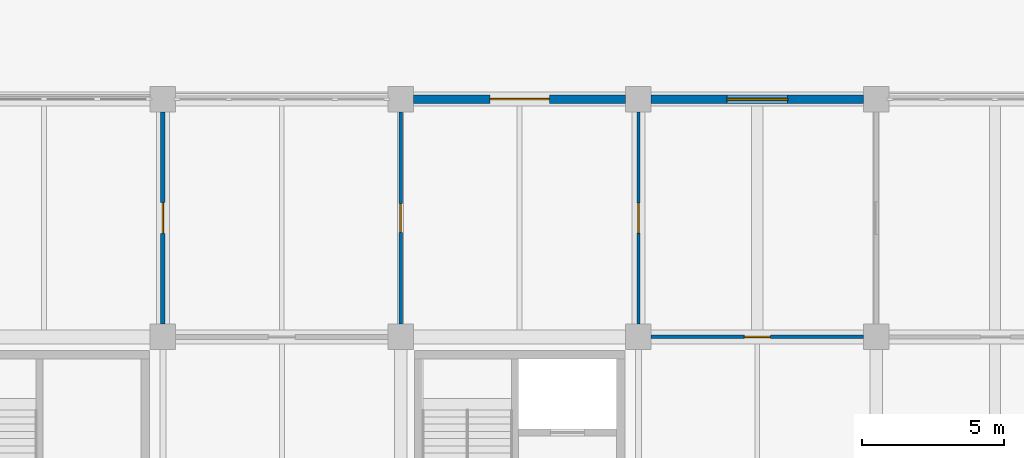
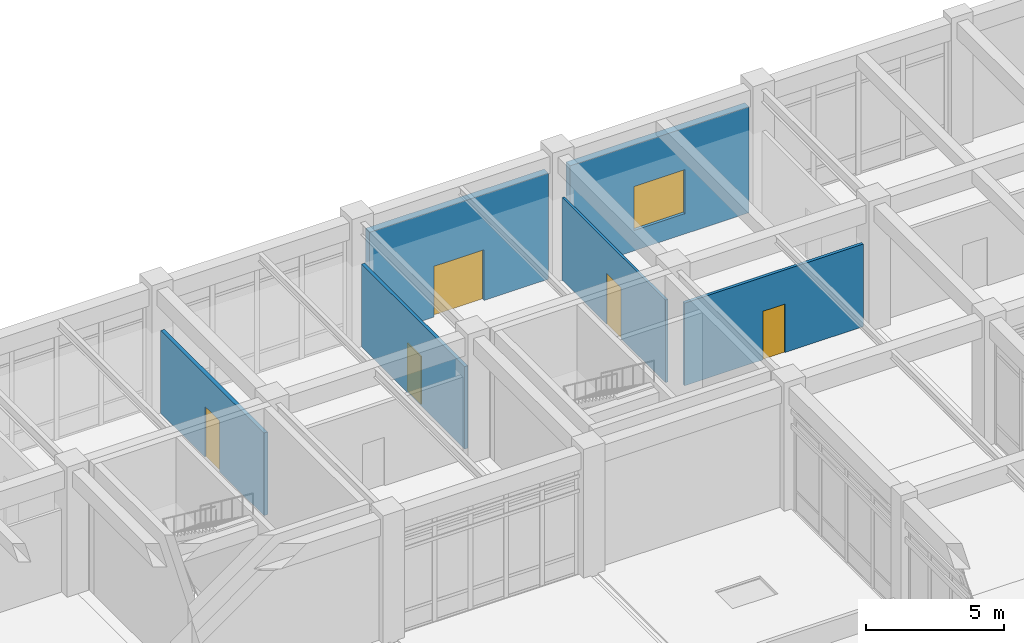
# One storey, part 76 of 91: 6 walls, 5 doors, 1 window, 6 openings.
"""IFC4 building model written with IfcOpenShell, lengths in metres."""

from ifc_helpers import new_model, si_unit, direction, frame, frame_2d, origin, place, context, subcontext, project, spatial, rectangle, extrude, material, layer, layer_set, type_object, element, fill, save


model = new_model("IFC4")

# Units and contexts
model_context = context("Model", 3, precision=1e-05, world=origin(), true_north=direction((0.0, 1.0)))
body_context = subcontext(model_context, "Body", "Model", "MODEL_VIEW")
ifc_project = project(units=[si_unit("LENGTHUNIT", "METRE"), si_unit("AREAUNIT", "SQUARE_METRE"), si_unit("VOLUMEUNIT", "CUBIC_METRE"), si_unit("PLANEANGLEUNIT", "RADIAN"), si_unit("MASSUNIT", "GRAM", prefix="KILO")], contexts=[model_context])

# Site, building, storey
site_placement = place(None, origin())
site = spatial("IfcSite", under=ifc_project, at=site_placement, CompositionType="ELEMENT")
building_placement = place(site_placement, origin())
building = spatial("IfcBuilding", under=site, at=building_placement, Name="Porcellanite Civic Hall", CompositionType="ELEMENT")
storey_placement = place(building_placement, origin())
storey = spatial("IfcBuildingStorey", under=building, at=storey_placement, Name="L00", CompositionType="ELEMENT", Elevation=0.0)

# Wall, opening, door
ifc_material_1 = material(Name="Precast concrete N40 (40 MPa)", Category="concrete")
ifc_layer_1 = layer(ifc_material_1, 0.300048828125)
ifc_layer_set_1 = layer_set([ifc_layer_1], Name="Precast concrete N40 (40 MPa)")
wall_type_1 = type_object("IfcWallType", Name="EW-ADM300", PredefinedType="SOLIDWALL", material=ifc_layer_set_1)
wall_1_placement = place(storey_placement, frame((109.65087890625, 117.60009765625, 0.0), z_axis=(0.0, 0.0, 1.0), x_axis=(1.0, 0.0, 0.0)))
wall_1 = element("IfcWall", 1, at=wall_1_placement, inside=storey, type_object=wall_type_1, Name="Exterior wall L00 N 14-14", PredefinedType="SOLIDWALL", context=body_context, shape_type="SweptSolid", body=[
    extrude(rectangle(XDim=7.498046875, YDim=0.300048828125, at=frame_2d((3.7490234375, 0.0))), origin(), (0.0, 0.0, 1.0), 4.699951171875),
])
opening_1_placement = place(wall_1_placement, frame((2.698974609375, 0.0, 0.0)))
opening_1 = element("IfcOpeningElement", 2, at=opening_1_placement, cuts=wall_1, Name="Opening ED-19", PredefinedType="OPENING", context=body_context, shape_type="SweptSolid", body=[
    extrude(rectangle(XDim=2.10009765625, YDim=2.25, at=frame_2d((1.050048828125, 1.125))), frame((0.0, 0.14990234375, 0.0), z_axis=(0.0, -1.0, 0.0), x_axis=(1.0, 0.0, 0.0)), (0.0, 0.0, 1.0), 0.300048828125),
])
ifc_material_2 = material(Name="Anodised aluminium and laminated safety glass", Category="aluminium")
door_type_1 = type_object("IfcDoorType", Name="DR-EXIT190", OperationType="DOUBLE_DOOR_SINGLE_SWING", PredefinedType="DOOR", material=ifc_material_2)
door_1_placement = place(opening_1_placement, origin())
door_1 = element("IfcDoor", 3, at=door_1_placement, inside=storey, type_object=door_type_1, Name="Pedestrian final exit door ED-19", OperationType="DOUBLE_DOOR_SINGLE_SWING", OverallHeight=2.25, OverallWidth=2.10009765625, PredefinedType="DOOR", context=body_context, shape_type="SweptSolid", body=[
    extrude(rectangle(XDim=2.10009765625, YDim=2.25, at=frame_2d((1.050048828125, 1.125))), frame((0.0, 0.02490234375, 0.0), z_axis=(0.0, -1.0, 0.0), x_axis=(1.0, 0.0, 0.0)), (0.0, 0.0, 1.0), 0.050048828125),
])
fill(opening_1, door_1)

# Wall, opening, window
wall_2_placement = place(storey_placement, frame((118.051025390625, 117.60009765625, 0.0), z_axis=(0.0, 0.0, 1.0), x_axis=(1.0, 0.0, 0.0)))
wall_2 = element("IfcWall", 4, at=wall_2_placement, inside=storey, type_object=wall_type_1, Name="Exterior wall L00 N 15-14", PredefinedType="SOLIDWALL", context=body_context, shape_type="SweptSolid", body=[
    extrude(rectangle(XDim=7.498046875, YDim=0.300048828125, at=frame_2d((3.7490234375, 0.0))), origin(), (0.0, 0.0, 1.0), 4.699951171875),
])
opening_2_placement = place(wall_2_placement, frame((2.674072265625, 0.0, 0.89990234375)))
opening_2 = element("IfcOpeningElement", 5, at=opening_2_placement, cuts=wall_2, Name="Opening W32", PredefinedType="OPENING", context=body_context, shape_type="SweptSolid", body=[
    extrude(rectangle(XDim=2.14990234375, YDim=1.949951171875, at=frame_2d((1.074951171875, 0.97509765625))), frame((0.0, 0.14990234375, 0.0), z_axis=(0.0, -1.0, 0.0), x_axis=(1.0, 0.0, 0.0)), (0.0, 0.0, 1.0), 0.300048828125),
])
ifc_material_3 = material(Name="Cyclone laminated low-E glazing in anodised aluminium frame", Category="aluminium")
window_type = type_object("IfcWindowType", Name="WN-32", PartitioningType="DOUBLE_PANEL_VERTICAL", PredefinedType="WINDOW", material=ifc_material_3)
window_placement = place(opening_2_placement, origin())
window = element("IfcWindow", 6, at=window_placement, inside=storey, type_object=window_type, Name="Window W32 L00 N 15-14", OverallHeight=1.949951171875, OverallWidth=2.14990234375, PartitioningType="SINGLE_PANEL", PredefinedType="WINDOW", context=body_context, shape_type="SweptSolid", body=[
    extrude(rectangle(XDim=2.14990234375, YDim=1.949951171875, at=frame_2d((1.074951171875, 0.97509765625))), frame((0.0, 0.030029296875, 0.0), z_axis=(0.0, -1.0, 0.0), x_axis=(1.0, 0.0, 0.0)), (0.0, 0.0, 1.0), 0.06005859375),
])
fill(opening_2, window)

# Wall, opening, door
ifc_material_4 = material(Name="Insulated acoustic plasterboard on light-gauge steel studs", Category="steel")
ifc_layer_2 = layer(ifc_material_4, 0.10498046875)
ifc_layer_set_2 = layer_set([ifc_layer_2], Name="Insulated acoustic plasterboard on light-gauge steel studs")
wall_type_2 = type_object("IfcWallType", Name="IW-PT105", PredefinedType="PARTITIONING", material=ifc_layer_set_2)
wall_3_placement = place(storey_placement, frame((117.60009765625, 109.652099609375, 0.0), z_axis=(0.0, 0.0, 1.0), x_axis=(0.0, 1.0, 0.0)))
wall_3 = element("IfcWall", 7, at=wall_3_placement, inside=storey, type_object=wall_type_2, Name="Partition L00 V 14-14", PredefinedType="PARTITIONING", context=body_context, shape_type="SweptSolid", body=[
    extrude(rectangle(XDim=7.495849609375, YDim=0.10498046875, at=frame_2d((3.748046875, 0.0))), origin(), (0.0, 0.0, 1.0), 3.659912109375),
])
opening_3_placement = place(wall_3_placement, frame((3.218017578125, 0.0, 0.0)))
opening_3 = element("IfcOpeningElement", 8, at=opening_3_placement, cuts=wall_3, Name="Opening D-L00-157", PredefinedType="OPENING", context=body_context, shape_type="SweptSolid", body=[
    extrude(rectangle(XDim=1.06005859375, YDim=2.25, at=frame_2d((0.530029296875, 1.125))), frame((0.0, 0.052490234375, 0.0), z_axis=(0.0, -1.0, 0.0), x_axis=(1.0, 0.0, 0.0)), (0.0, 0.0, 1.0), 0.10498046875),
])
ifc_material_5 = material(Name="Solid-core spotted-gum timber", Category="wood")
door_type_2 = type_object("IfcDoorType", Name="DR-RM106", OperationType="NOTDEFINED", PredefinedType="DOOR", material=ifc_material_5)
door_2_placement = place(opening_3_placement, origin())
door_2 = element("IfcDoor", 9, at=door_2_placement, inside=storey, type_object=door_type_2, Name="Interior door D-L00-157", OperationType="SINGLE_SWING_LEFT", OverallHeight=2.25, OverallWidth=1.06005859375, PredefinedType="DOOR", context=body_context, shape_type="SweptSolid", body=[
    extrude(rectangle(XDim=1.06005859375, YDim=2.25, at=frame_2d((0.530029296875, 1.125))), frame((0.0, 0.02490234375, 0.0), z_axis=(0.0, -1.0, 0.0), x_axis=(1.0, 0.0, 0.0)), (0.0, 0.0, 1.0), 0.050048828125),
])
fill(opening_3, door_2)

ifc_material_6 = material(Name="Insulated acoustic plasterboard on light-gauge steel studs", Category="steel")
ifc_layer_3 = layer(ifc_material_6, 0.125)
ifc_layer_set_3 = layer_set([ifc_layer_3], Name="Insulated acoustic plasterboard on light-gauge steel studs")
wall_type_3 = type_object("IfcWallType", Name="IW-PT125", PredefinedType="PARTITIONING", material=ifc_layer_set_3)
wall_4_placement = place(storey_placement, frame((118.052001953125, 109.199951171875, 0.0), z_axis=(0.0, 0.0, 1.0), x_axis=(1.0, 0.0, 0.0)))
wall_4 = element("IfcWall", 10, at=wall_4_placement, inside=storey, type_object=wall_type_3, Name="Partition L00 H 15-13", PredefinedType="PARTITIONING", context=body_context, shape_type="SweptSolid", body=[
    extrude(rectangle(XDim=7.49609375, YDim=0.125, at=frame_2d((3.748046875, 0.0))), origin(), (0.0, 0.0, 1.0), 3.659912109375),
])
opening_4_placement = place(wall_4_placement, frame((3.2880859375, 0.0, 0.0)))
opening_4 = element("IfcOpeningElement", 11, at=opening_4_placement, cuts=wall_4, Name="Opening D-L00-060", PredefinedType="OPENING", context=body_context, shape_type="SweptSolid", body=[
    extrude(rectangle(XDim=0.919921875, YDim=2.14990234375, at=frame_2d((0.4599609375, 1.074951171875))), frame((0.0, 0.0625, 0.0), z_axis=(0.0, -1.0, 0.0), x_axis=(1.0, 0.0, 0.0)), (0.0, 0.0, 1.0), 0.125),
])
ifc_material_7 = material(Name="Solid-core spotted-gum timber", Category="wood")
door_type_3 = type_object("IfcDoorType", Name="DR-RM092", OperationType="NOTDEFINED", PredefinedType="DOOR", material=ifc_material_7)
door_3_placement = place(opening_4_placement, origin())
door_3 = element("IfcDoor", 12, at=door_3_placement, inside=storey, type_object=door_type_3, Name="Interior door D-L00-060", OperationType="SINGLE_SWING_LEFT", OverallHeight=2.14990234375, OverallWidth=0.919921875, PredefinedType="DOOR", context=body_context, shape_type="SweptSolid", body=[
    extrude(rectangle(XDim=0.919921875, YDim=2.14990234375, at=frame_2d((0.4599609375, 1.074951171875))), frame((0.0, 0.02490234375, 0.0), z_axis=(0.0, -1.0, 0.0), x_axis=(1.0, 0.0, 0.0)), (0.0, 0.0, 1.0), 0.050048828125),
])
fill(opening_4, door_3)

ifc_material_8 = material(Name="Insulated acoustic plasterboard on light-gauge steel studs", Category="steel")
ifc_layer_4 = layer(ifc_material_8, 0.135009765625)
ifc_layer_set_4 = layer_set([ifc_layer_4], Name="Insulated acoustic plasterboard on light-gauge steel studs")
wall_type_4 = type_object("IfcWallType", Name="IW-PT135", PredefinedType="PARTITIONING", material=ifc_layer_set_4)
wall_5_placement = place(storey_placement, frame((109.199951171875, 109.652099609375, 0.0), z_axis=(0.0, 0.0, 1.0), x_axis=(0.0, 1.0, 0.0)))
wall_5 = element("IfcWall", 13, at=wall_5_placement, inside=storey, type_object=wall_type_4, Name="Partition L00 V 13-14", PredefinedType="PARTITIONING", context=body_context, shape_type="SweptSolid", body=[
    extrude(rectangle(XDim=7.495849609375, YDim=0.135009765625, at=frame_2d((3.748046875, 0.0))), origin(), (0.0, 0.0, 1.0), 3.659912109375),
])
opening_5_placement = place(wall_5_placement, frame((3.242919921875, 0.0, 0.0)))
opening_5 = element("IfcOpeningElement", 14, at=opening_5_placement, cuts=wall_5, Name="Opening D-L00-127", PredefinedType="OPENING", context=body_context, shape_type="SweptSolid", body=[
    extrude(rectangle(XDim=1.010009765625, YDim=2.1201171875, at=frame_2d((0.5048828125, 1.06005859375))), frame((0.0, 0.0673828125, 0.0), z_axis=(0.0, -1.0, 0.0), x_axis=(1.0, 0.0, 0.0)), (0.0, 0.0, 1.0), 0.135009765625),
])
ifc_material_9 = material(Name="Solid-core spotted-gum timber", Category="wood")
door_type_4 = type_object("IfcDoorType", Name="DR-RM101", OperationType="NOTDEFINED", PredefinedType="DOOR", material=ifc_material_9)
door_4_placement = place(opening_5_placement, origin())
door_4 = element("IfcDoor", 15, at=door_4_placement, inside=storey, type_object=door_type_4, Name="Interior door D-L00-127", OperationType="SINGLE_SWING_LEFT", OverallHeight=2.1201171875, OverallWidth=1.010009765625, PredefinedType="DOOR", context=body_context, shape_type="SweptSolid", body=[
    extrude(rectangle(XDim=1.010009765625, YDim=2.1201171875, at=frame_2d((0.5048828125, 1.06005859375))), frame((0.0, 0.02490234375, 0.0), z_axis=(0.0, -1.0, 0.0), x_axis=(1.0, 0.0, 0.0)), (0.0, 0.0, 1.0), 0.050048828125),
])
fill(opening_5, door_4)

ifc_material_10 = material(Name="Insulated acoustic plasterboard on light-gauge steel studs", Category="steel")
ifc_layer_5 = layer(ifc_material_10, 0.1650390625)
ifc_layer_set_5 = layer_set([ifc_layer_5], Name="Insulated acoustic plasterboard on light-gauge steel studs")
wall_type_5 = type_object("IfcWallType", Name="IW-PT165", PredefinedType="PARTITIONING", material=ifc_layer_set_5)
wall_6_placement = place(storey_placement, frame((100.800048828125, 109.652099609375, 0.0), z_axis=(0.0, 0.0, 1.0), x_axis=(0.0, 1.0, 0.0)))
wall_6 = element("IfcWall", 16, at=wall_6_placement, inside=storey, type_object=wall_type_5, Name="Partition L00 V 12-14", PredefinedType="PARTITIONING", context=body_context, shape_type="SweptSolid", body=[
    extrude(rectangle(XDim=7.495849609375, YDim=0.1650390625, at=frame_2d((3.748046875, 0.0))), origin(), (0.0, 0.0, 1.0), 3.659912109375),
])
opening_6_placement = place(wall_6_placement, frame((3.2080078125, 0.0, 0.0)))
opening_6 = element("IfcOpeningElement", 17, at=opening_6_placement, cuts=wall_6, Name="Opening D-L00-156", PredefinedType="OPENING", context=body_context, shape_type="SweptSolid", body=[
    extrude(rectangle(XDim=1.080078125, YDim=2.25, at=frame_2d((0.5400390625, 1.125))), frame((0.0, 0.08251953125, 0.0), z_axis=(0.0, -1.0, 0.0), x_axis=(1.0, 0.0, 0.0)), (0.0, 0.0, 1.0), 0.1650390625),
])
ifc_material_11 = material(Name="Solid-core spotted-gum timber", Category="wood")
door_type_5 = type_object("IfcDoorType", Name="DR-RM108", OperationType="NOTDEFINED", PredefinedType="DOOR", material=ifc_material_11)
door_5_placement = place(opening_6_placement, origin())
door_5 = element("IfcDoor", 18, at=door_5_placement, inside=storey, type_object=door_type_5, Name="Interior door D-L00-156", OperationType="SINGLE_SWING_RIGHT", OverallHeight=2.25, OverallWidth=1.080078125, PredefinedType="DOOR", context=body_context, shape_type="SweptSolid", body=[
    extrude(rectangle(XDim=1.080078125, YDim=2.25, at=frame_2d((0.5400390625, 1.125))), frame((0.0, 0.02490234375, 0.0), z_axis=(0.0, -1.0, 0.0), x_axis=(1.0, 0.0, 0.0)), (0.0, 0.0, 1.0), 0.050048828125),
])
fill(opening_6, door_5)

save(model, "model.ifc")
